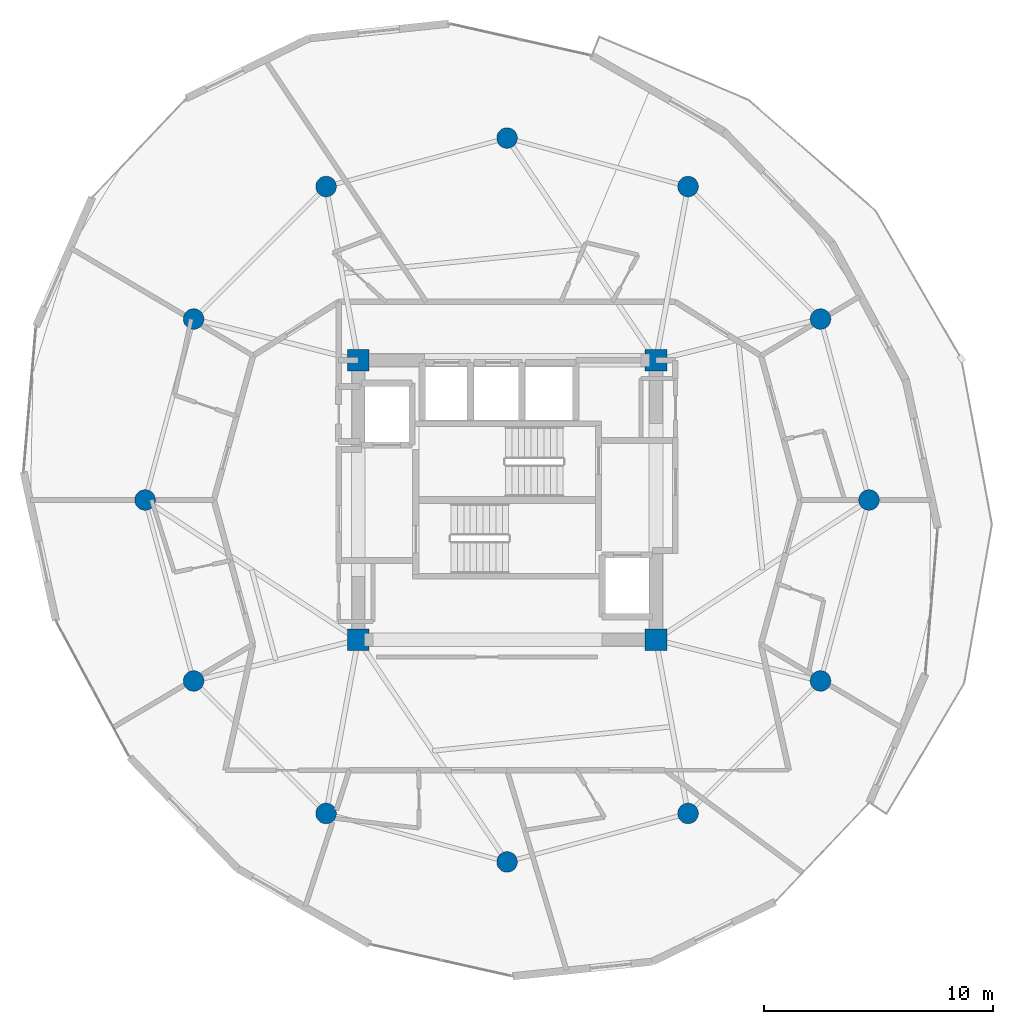
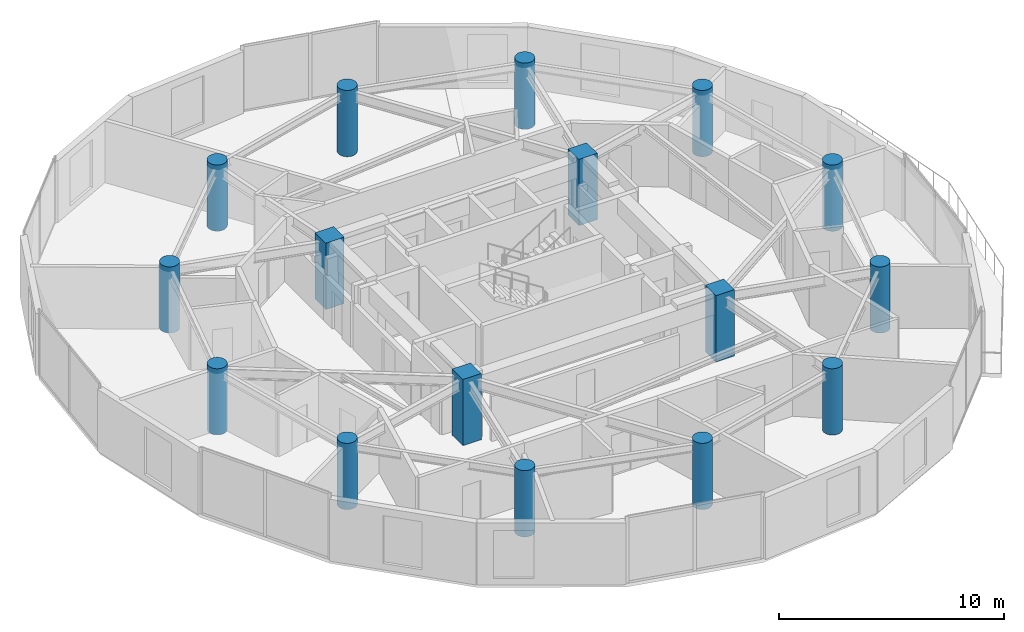
# One storey, part 1 of 23: 16 columns.
"""IFC4 building model written with IfcOpenShell, lengths in metres."""

from ifc_helpers import new_model, si_unit, direction, frame, origin, origin_2d, place, context, subcontext, project, spatial, rectangle, circle, extrude, material, material_profile, profile_set, type_object, element, save


model = new_model("IFC4")

# Units and contexts
model_context = context("Model", 3, precision=1e-05, world=origin(), true_north=direction((0.0, 1.0)))
body_context = subcontext(model_context, "Body", "Model", "MODEL_VIEW")
ifc_project = project(units=[si_unit("LENGTHUNIT", "METRE"), si_unit("AREAUNIT", "SQUARE_METRE"), si_unit("VOLUMEUNIT", "CUBIC_METRE"), si_unit("PLANEANGLEUNIT", "RADIAN"), si_unit("MASSUNIT", "GRAM", prefix="KILO")], contexts=[model_context])

# Site, building, storey
site_placement = place(None, origin())
site = spatial("IfcSite", under=ifc_project, at=site_placement, CompositionType="ELEMENT")
building_placement = place(site_placement, origin())
building = spatial("IfcBuilding", under=site, at=building_placement, Name="Solvirekh Grand Hotel", CompositionType="ELEMENT")
storey_placement = place(building_placement, frame((0.0, 0.0, 180.39990234375)))
storey = spatial("IfcBuildingStorey", under=building, at=storey_placement, Name="L46", CompositionType="ELEMENT", Elevation=180.39990234375)

# Columns
ifc_material = material(Name="Concrete C50/60", Category="concrete")
ifc_material_profile_1 = material_profile(ifc_material, rectangle(XDim=0.949951171875, YDim=0.949951171875, at=origin_2d()), Name="RC 950X950")
ifc_profile_set_1 = profile_set([ifc_material_profile_1], Name="Concrete C50/60")
column_type_1 = type_object("IfcColumnType", Name="Col_Core_950", PredefinedType="COLUMN", material=ifc_profile_set_1)
for number, where, z_axis, x_axis, name in (
    (1, (-6.5, -6.10009765625, 0.0), (0.0, 0.0, 1.0), (1.0, 0.0, 0.0), "L46 core corner column CC1"),
    (2, (6.5, -6.10009765625, 0.0), (0.0, 0.0, 1.0), (1.0, 0.0, 0.0), "L46 core corner column CC2"),
    (3, (6.5, 6.10009765625, 0.0), (0.0, 0.0, 1.0), (1.0, 0.0, 0.0), "L46 core corner column CC3"),
    (4, (-6.5, 6.10009765625, 0.0), (0.0, 0.0, 1.0), (1.0, 0.0, 0.0), "L46 core corner column CC4"),
):
    element("IfcColumn", number, at=place(storey_placement, frame(where, z_axis=z_axis, x_axis=x_axis)), inside=storey, type_object=column_type_1, Name=name, PredefinedType="COLUMN", context=body_context, shape_type="SweptSolid", body=[
        extrude(rectangle(XDim=0.949951171875, YDim=0.949951171875, at=origin_2d()), origin(), (0.0, 0.0, 1.0), 3.60009765625),
    ])
ifc_material_profile_2 = material_profile(ifc_material, circle(Radius=0.449951171875, at=origin_2d()), Name="RC CIRC D900")
ifc_profile_set_2 = profile_set([ifc_material_profile_2], Name="Concrete C50/60")
column_type_2 = type_object("IfcColumnType", Name="Col_Z3_D900", PredefinedType="COLUMN", material=ifc_profile_set_2)
for number, where, z_axis, x_axis, name in (
    (5, (15.800048828125, 0.0, 0.0), (0.0, 0.0, 1.0), (1.0, 0.0, 0.0), "L46 perimeter column P01"),
    (6, (13.68310546875, 7.89990234375, 0.0), (0.0, 0.0, 1.0), (1.0, 0.0, 0.0), "L46 perimeter column P02"),
    (7, (7.89990234375, 13.68310546875, 0.0), (0.0, 0.0, 1.0), (1.0, 0.0, 0.0), "L46 perimeter column P03"),
    (8, (0.0, 15.800048828125, 0.0), (0.0, 0.0, 1.0), (1.0, 0.0, 0.0), "L46 perimeter column P04"),
    (9, (-7.89990234375, 13.68310546875, 0.0), (0.0, 0.0, 1.0), (1.0, 0.0, 0.0), "L46 perimeter column P05"),
    (10, (-13.68310546875, 7.89990234375, 0.0), (0.0, 0.0, 1.0), (1.0, 0.0, 0.0), "L46 perimeter column P06"),
    (11, (-15.800048828125, 0.0, 0.0), (0.0, 0.0, 1.0), (1.0, 0.0, 0.0), "L46 perimeter column P07"),
    (12, (-13.68310546875, -7.89990234375, 0.0), (0.0, 0.0, 1.0), (1.0, 0.0, 0.0), "L46 perimeter column P08"),
    (13, (-7.89990234375, -13.68310546875, 0.0), (0.0, 0.0, 1.0), (1.0, 0.0, 0.0), "L46 perimeter column P09"),
    (14, (0.0, -15.800048828125, 0.0), (0.0, 0.0, 1.0), (1.0, 0.0, 0.0), "L46 perimeter column P10"),
    (15, (7.89990234375, -13.68310546875, 0.0), (0.0, 0.0, 1.0), (1.0, 0.0, 0.0), "L46 perimeter column P11"),
    (16, (13.68310546875, -7.89990234375, 0.0), (0.0, 0.0, 1.0), (1.0, 0.0, 0.0), "L46 perimeter column P12"),
):
    element("IfcColumn", number, at=place(storey_placement, frame(where, z_axis=z_axis, x_axis=x_axis)), inside=storey, type_object=column_type_2, Name=name, PredefinedType="COLUMN", context=body_context, shape_type="SweptSolid", body=[
        extrude(circle(Radius=0.449951171875, at=origin_2d()), origin(), (0.0, 0.0, 1.0), 3.60009765625),
    ])

save(model, "model.ifc")
